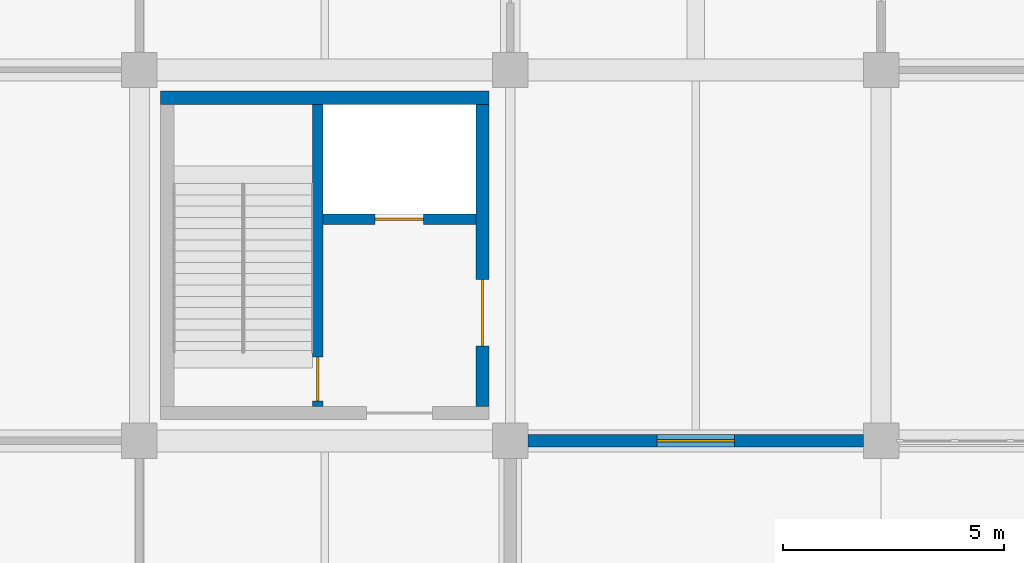
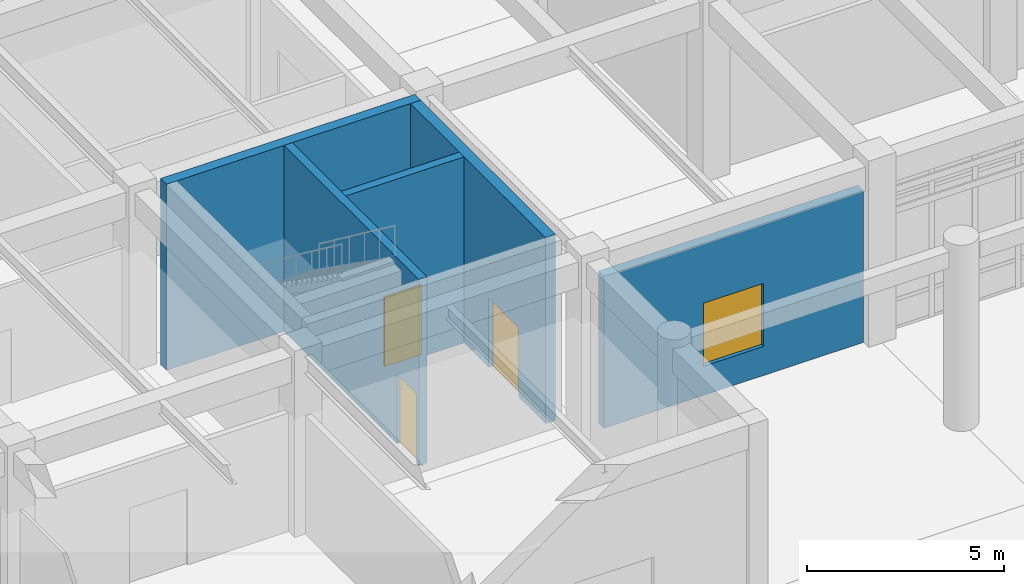
# One storey, part 70 of 91: 5 walls, 3 doors, 1 window, 4 openings.
"""IFC4 building model written with IfcOpenShell, lengths in metres."""

import ifcopenshell
import ifcopenshell.guid

model = None  # the IFC model being written
_history = None  # IfcOwnerHistory: only IFC2X3 demands one
_inside = {}  # id of a spatial element -> (the spatial element, [elements in it])
_under = {}  # id of a project, library or spatial element -> (it, [spatial elements below it])
_declared = {}  # id of a project -> (the project, [libraries it declares])
_typed = {}  # id of a type object -> (the type object, [elements of that type])
_made_of = {}  # id of a material, layer set ... -> (it, [elements and type objects made of it])


def new_model(schema):
    """Start an empty IFC model of exactly this schema.

    Asked for "IFC4X3", IfcOpenShell would pick the latest addendum, in which some entities
    have other attributes; the version numbers below select the first issue.
    IFC2X3 requires an IfcOwnerHistory on every rooted entity: one is made here for all.
    """
    global model, _history
    if schema == "IFC4X3":
        model = ifcopenshell.file(schema_version=(4, 3, 0, 0))
    else:
        model = ifcopenshell.file(schema=schema)
    _inside.clear()
    _under.clear()
    _declared.clear()
    _typed.clear()
    _made_of.clear()
    _history = None
    if model.schema == "IFC2X3":
        org = make("IfcOrganization", Name="unknown")
        user = make(
            "IfcPersonAndOrganization",
            ThePerson=make("IfcPerson", FamilyName="unknown"),
            TheOrganization=org,
        )
        app = make(
            "IfcApplication",
            ApplicationDeveloper=org,
            Version="unknown",
            ApplicationFullName="unknown",
            ApplicationIdentifier="unknown",
        )
        _history = make(
            "IfcOwnerHistory",
            OwningUser=user,
            OwningApplication=app,
            ChangeAction="ADDED",
            CreationDate=0,
        )
    return model


def make(cls, **values):
    """One entity of the class cls with the attributes given. An attribute that is None is left unset."""
    return model.create_entity(
        cls, **{name: value for name, value in values.items() if value is not None}
    )


def rooted(cls, **values):
    """An entity with a GlobalId (a new one), such as an element, a storey or a relation."""
    return make(cls, GlobalId=ifcopenshell.guid.new(), OwnerHistory=_history, **values)


def si_unit(unit_type, name, prefix=None):
    """IfcSIUnit, for example si_unit("LENGTHUNIT", "METRE", prefix="MILLI")."""
    return make("IfcSIUnit", UnitType=unit_type, Prefix=prefix, Name=name)


def assignment(units):
    """IfcUnitAssignment: the units of a project."""
    return None if units is None else make("IfcUnitAssignment", Units=units)


def point(xyz):
    """IfcCartesianPoint."""
    return None if xyz is None else make("IfcCartesianPoint", Coordinates=xyz)


def direction(xyz):
    """IfcDirection."""
    return None if xyz is None else make("IfcDirection", DirectionRatios=xyz)


def frame(location, z_axis=None, x_axis=None):
    """IfcAxis2Placement3D, a coordinate frame: its origin and axes. An axis left out is left unset."""
    return make(
        "IfcAxis2Placement3D",
        Location=point(location),
        Axis=direction(z_axis),
        RefDirection=direction(x_axis),
    )


def frame_2d(location, x_axis=None):
    """IfcAxis2Placement2D, a coordinate frame in the plane: its origin and x axis."""
    return make(
        "IfcAxis2Placement2D", Location=point(location), RefDirection=direction(x_axis)
    )


def origin():
    """The frame at (0, 0, 0) with its axes left unset."""
    return frame((0.0, 0.0, 0.0))


def place(relative_to, where):
    """IfcLocalPlacement: puts the frame where relative to a parent placement (None: the world)."""
    return make(
        "IfcLocalPlacement", PlacementRelTo=relative_to, RelativePlacement=where
    )


def context(
    kind, dimensions, precision=None, world=None, true_north=None, identifier=None
):
    """IfcGeometricRepresentationContext, for example the 3D "Model" context."""
    return make(
        "IfcGeometricRepresentationContext",
        ContextIdentifier=identifier,
        ContextType=kind,
        CoordinateSpaceDimension=dimensions,
        Precision=precision,
        WorldCoordinateSystem=world,
        TrueNorth=true_north,
    )


def subcontext(parent, identifier, kind, view, scale=None):
    """IfcGeometricRepresentationSubContext, for example "Body" below "Model"."""
    return make(
        "IfcGeometricRepresentationSubContext",
        ContextIdentifier=identifier,
        ContextType=kind,
        ParentContext=parent,
        TargetScale=scale,
        TargetView=view,
    )


def project(units=None, contexts=None):
    """IfcProject with its units and contexts."""
    return rooted(
        "IfcProject",
        Name="project",
        RepresentationContexts=contexts,
        UnitsInContext=assignment(units),
    )


def spatial(cls, under=None, at=None, **own):
    """A site, building, storey or space (cls), placed at a placement, below another one or the project."""
    s = rooted(cls, ObjectPlacement=at, **own)
    if under is not None:
        _under.setdefault(under.id(), (under, []))[1].append(s)
    return s


def profile(cls, at=None, kind="AREA", **sizes):
    """A parametric profile (cls). Its sizes go by their IFC names, for example OverallWidth=200.0."""
    return make(cls, ProfileType=kind, Position=at, **sizes)


def rectangle(**sizes):
    """IfcRectangleProfileDef."""
    return profile("IfcRectangleProfileDef", **sizes)


def extrude(swept, where, along, depth):
    """IfcExtrudedAreaSolid: the profile swept, set in the frame where, extruded along a direction by depth."""
    return make(
        "IfcExtrudedAreaSolid",
        SweptArea=swept,
        Position=where,
        ExtrudedDirection=direction(along),
        Depth=depth,
    )


def shape(context_of_items, identifier, shape_type, items):
    """IfcShapeRepresentation: the items that make up one representation, for example the "Body"."""
    return make(
        "IfcShapeRepresentation",
        ContextOfItems=context_of_items,
        RepresentationIdentifier=identifier,
        RepresentationType=shape_type,
        Items=items,
    )


def material(Name=None, Category=None):
    """IfcMaterial."""
    return make("IfcMaterial", Name=Name, Category=Category)


def layer(
    of_material, thickness, ventilated=None, Name=None, Category=None, Priority=None
):
    """IfcMaterialLayer: one layer of a wall or slab, of a material (None: an air gap)."""
    return make(
        "IfcMaterialLayer",
        Material=of_material,
        LayerThickness=thickness,
        IsVentilated=ventilated,
        Name=Name,
        Category=Category,
        Priority=Priority,
    )


def layer_set(layers, Name=None):
    """IfcMaterialLayerSet."""
    return make("IfcMaterialLayerSet", MaterialLayers=layers, LayerSetName=Name)


def made_of(thing, what):
    """Note that an element or type object is made of a material, layer set ...; save() writes the relation."""
    if what is not None:
        _made_of.setdefault(what.id(), (what, []))[1].append(thing)
    return thing


def type_object(cls, material=None, **own):
    """A type object (cls), such as IfcWallType, which elements share."""
    return made_of(rooted(cls, **own), material)


def element(
    cls,
    number,
    at=None,
    inside=None,
    cuts=None,
    type_object=None,
    material=None,
    context=None,
    identifier="Body",
    shape_type=None,
    held_by="IfcProductDefinitionShape",
    body=None,
    shapes=None,
    **own,
):
    """One element of the class cls, such as IfcWall. Its Tag is "e" and its number.

    at: its placement. inside: the storey or other place that contains it. cuts: it is an
    opening in that element (IfcRelVoidsElement). A single representation is given by context,
    identifier, shape_type and body (its items); several are given by shapes. held_by: the class
    of the entity that holds the representations. save() writes the other relations.
    """
    e = rooted(cls, Tag="e%d" % number, ObjectPlacement=at, **own)
    if body is not None:
        shapes = [shape(context, identifier, shape_type, body)]
    if shapes is not None:
        e.Representation = make(held_by, Representations=shapes)
    if inside is not None:
        _inside.setdefault(inside.id(), (inside, []))[1].append(e)
    if cuts is not None:
        rooted(
            "IfcRelVoidsElement", RelatingBuildingElement=cuts, RelatedOpeningElement=e
        )
    if type_object is not None:
        _typed.setdefault(type_object.id(), (type_object, []))[1].append(e)
    return made_of(e, material)


def fill(opening, filler):
    """IfcRelFillsElement: the door or window that sits in an opening."""
    return rooted(
        "IfcRelFillsElement",
        RelatingOpeningElement=opening,
        RelatedBuildingElement=filler,
    )


def aggregate(whole, parts):
    """IfcRelAggregates: a whole, such as a stair, and the parts it consists of."""
    return rooted("IfcRelAggregates", RelatingObject=whole, RelatedObjects=parts)


def save(model, path):
    """Write the relations noted so far, then the file.

    IfcRelAggregates (storeys below a building ...), IfcRelContainedInSpatialStructure (elements
    in a storey), IfcRelDefinesByType, IfcRelAssociatesMaterial and IfcRelDeclares: one each for
    every whole, place, type object, material and project.
    """
    for whole, parts in _under.values():
        aggregate(whole, parts)
    for where, things in _inside.values():
        rooted(
            "IfcRelContainedInSpatialStructure",
            RelatedElements=things,
            RelatingStructure=where,
        )
    for kind, things in _typed.values():
        rooted("IfcRelDefinesByType", RelatedObjects=things, RelatingType=kind)
    for what, things in _made_of.values():
        rooted("IfcRelAssociatesMaterial", RelatedObjects=things, RelatingMaterial=what)
    for by, libraries in _declared.values():
        rooted("IfcRelDeclares", RelatingContext=by, RelatedDefinitions=libraries)
    model.write(path)


model = new_model("IFC4")

# Units and contexts
model_context = context("Model", 3, precision=1e-05, world=origin(), true_north=direction((0.0, 1.0)))
body_context = subcontext(model_context, "Body", "Model", "MODEL_VIEW")
ifc_project = project(units=[si_unit("LENGTHUNIT", "METRE"), si_unit("AREAUNIT", "SQUARE_METRE"), si_unit("VOLUMEUNIT", "CUBIC_METRE"), si_unit("PLANEANGLEUNIT", "RADIAN"), si_unit("MASSUNIT", "GRAM", prefix="KILO")], contexts=[model_context])

# Site, building, storey
site_placement = place(None, origin())
site = spatial("IfcSite", under=ifc_project, at=site_placement, CompositionType="ELEMENT")
building_placement = place(site_placement, origin())
building = spatial("IfcBuilding", under=site, at=building_placement, Name="Porcellanite Civic Hall", CompositionType="ELEMENT")
storey_placement = place(building_placement, origin())
storey = spatial("IfcBuildingStorey", under=building, at=storey_placement, Name="L00", CompositionType="ELEMENT", Elevation=0.0)

# Wall, opening, door
ifc_material_1 = material(Name="Concrete N40 (40 MPa)", Category="concrete")
ifc_layer_1 = layer(ifc_material_1, 0.239990234375)
ifc_layer_set_1 = layer_set([ifc_layer_1], Name="Concrete N40 (40 MPa)")
wall_type_1 = type_object("IfcWallType", Name="CW-SH240", PredefinedType="SHEAR", material=ifc_layer_set_1)
wall_1_placement = place(storey_placement, frame((113.239990234375, 51.179931640625, 0.0), z_axis=(0.0, 0.0, 1.0), x_axis=(0.0, 1.0, 0.0)))
wall_1 = element("IfcWall", 1, at=wall_1_placement, inside=storey, type_object=wall_type_1, Name="Core divider C6 L00", PredefinedType="SHEAR", context=body_context, shape_type="SweptSolid", body=[
    extrude(rectangle(XDim=6.840087890625, YDim=0.239990234375, at=frame_2d((3.419921875, 0.0))), origin(), (0.0, 0.0, 1.0), 5.760009765625),
])
opening_1_placement = place(wall_1_placement, frame((0.1201171875, 0.0, 0.0)))
opening_1 = element("IfcOpeningElement", 2, at=opening_1_placement, cuts=wall_1, Name="Opening FD-C6-L00-ST", PredefinedType="OPENING", context=body_context, shape_type="SweptSolid", body=[
    extrude(rectangle(XDim=1.0, YDim=2.14990234375, at=frame_2d((0.5, 1.074951171875))), frame((0.0, 0.1201171875, 0.0), z_axis=(0.0, -1.0, 0.0), x_axis=(1.0, 0.0, 0.0)), (0.0, 0.0, 1.0), 0.239990234375),
])
ifc_material_2 = material(Name="Fire-rated solid-core hardwood timber", Category="wood")
door_type_1 = type_object("IfcDoorType", Name="DR-FD100", OperationType="NOTDEFINED", PredefinedType="DOOR", material=ifc_material_2)
door_1_placement = place(opening_1_placement, origin())
door_1 = element("IfcDoor", 3, at=door_1_placement, inside=storey, type_object=door_type_1, Name="Fire stair door FD-C6-L00-ST", OperationType="SINGLE_SWING_LEFT", OverallHeight=2.14990234375, OverallWidth=1.0, PredefinedType="DOOR", context=body_context, shape_type="SweptSolid", body=[
    extrude(rectangle(XDim=1.0, YDim=2.14990234375, at=frame_2d((0.5, 1.074951171875))), frame((0.0, 0.02490234375, 0.0), z_axis=(0.0, -1.0, 0.0), x_axis=(1.0, 0.0, 0.0)), (0.0, 0.0, 1.0), 0.050048828125),
])
fill(opening_1, door_1)

wall_2_placement = place(storey_placement, frame((113.360107421875, 55.419921875, 0.0), z_axis=(0.0, 0.0, 1.0), x_axis=(1.0, 0.0, 0.0)))
wall_2 = element("IfcWall", 4, at=wall_2_placement, inside=storey, type_object=wall_type_1, Name="Lift shaft wall C6 L00", PredefinedType="SHEAR", context=body_context, shape_type="SweptSolid", body=[
    extrude(rectangle(XDim=3.4599609375, YDim=0.239990234375, at=frame_2d((1.72998046875, 0.0))), origin(), (0.0, 0.0, 1.0), 5.760009765625),
])
opening_2_placement = place(wall_2_placement, frame((1.179931640625, 0.0, 0.0)))
opening_2 = element("IfcOpeningElement", 5, at=opening_2_placement, cuts=wall_2, Name="Opening LD-06", PredefinedType="OPENING", context=body_context, shape_type="SweptSolid", body=[
    extrude(rectangle(XDim=1.10009765625, YDim=2.14990234375, at=frame_2d((0.550048828125, 1.074951171875))), frame((0.0, 0.1201171875, 0.0), z_axis=(0.0, -1.0, 0.0), x_axis=(1.0, 0.0, 0.0)), (0.0, 0.0, 1.0), 0.239990234375),
])
ifc_material_3 = material(Name="Brushed stainless steel 316", Category="steel")
door_type_2 = type_object("IfcDoorType", Name="DR-LD110", OperationType="DOUBLE_DOOR_SLIDING", PredefinedType="DOOR", material=ifc_material_3)
door_2_placement = place(opening_2_placement, origin())
door_2 = element("IfcDoor", 6, at=door_2_placement, inside=storey, type_object=door_type_2, Name="Lift landing sliding door LD-06 L00", OperationType="DOUBLE_DOOR_SLIDING", OverallHeight=2.14990234375, OverallWidth=1.10009765625, PredefinedType="DOOR", context=body_context, shape_type="SweptSolid", body=[
    extrude(rectangle(XDim=1.10009765625, YDim=2.14990234375, at=frame_2d((0.550048828125, 1.074951171875))), frame((0.0, 0.02490234375, 0.0), z_axis=(0.0, -1.0, 0.0), x_axis=(1.0, 0.0, 0.0)), (0.0, 0.0, 1.0), 0.050048828125),
])
fill(opening_2, door_2)

# Wall
ifc_material_4 = material(Name="Concrete N40 (40 MPa)", Category="concrete")
ifc_layer_2 = layer(ifc_material_4, 0.300048828125)
ifc_layer_set_2 = layer_set([ifc_layer_2], Name="Concrete N40 (40 MPa)")
wall_type_2 = type_object("IfcWallType", Name="CW-SH300", PredefinedType="SHEAR", material=ifc_layer_set_2)
wall_3_placement = place(storey_placement, frame((109.679931640625, 58.169921875, 0.0), z_axis=(0.0, 0.0, 1.0), x_axis=(1.0, 0.0, 0.0)))
element("IfcWall", 7, at=wall_3_placement, inside=storey, type_object=wall_type_2, Name="Core wall C6 L00 N", PredefinedType="SHEAR", context=body_context, shape_type="SweptSolid", body=[
    extrude(rectangle(XDim=7.440185546875, YDim=0.300048828125, at=frame_2d((3.72021484375, 0.0))), origin(), (0.0, 0.0, 1.0), 5.760009765625),
])

# Wall, opening, door
wall_4_placement = place(storey_placement, frame((116.969970703125, 58.02001953125, 0.0), z_axis=(0.0, 0.0, 1.0), x_axis=(0.0, -1.0, 0.0)))
wall_4 = element("IfcWall", 8, at=wall_4_placement, inside=storey, type_object=wall_type_2, Name="Core wall C6 L00 E", PredefinedType="SHEAR", context=body_context, shape_type="SweptSolid", body=[
    extrude(rectangle(XDim=6.840087890625, YDim=0.300048828125, at=frame_2d((3.419921875, 0.0))), origin(), (0.0, 0.0, 1.0), 5.760009765625),
])
opening_3_placement = place(wall_4_placement, frame((3.969970703125, 0.0, 0.0)))
opening_3 = element("IfcOpeningElement", 9, at=opening_3_placement, cuts=wall_4, Name="Opening FD-C6-L00-LB", PredefinedType="OPENING", context=body_context, shape_type="SweptSolid", body=[
    extrude(rectangle(XDim=1.5, YDim=2.14990234375, at=frame_2d((0.75, 1.074951171875))), frame((0.0, 0.14990234375, 0.0), z_axis=(0.0, -1.0, 0.0), x_axis=(1.0, 0.0, 0.0)), (0.0, 0.0, 1.0), 0.300048828125),
])
ifc_material_5 = material(Name="Fire-rated steel and Georgian wired glass", Category="steel")
door_type_3 = type_object("IfcDoorType", Name="DR-FD150", OperationType="DOUBLE_DOOR_SINGLE_SWING", PredefinedType="DOOR", material=ifc_material_5)
door_3_placement = place(opening_3_placement, origin())
door_3 = element("IfcDoor", 10, at=door_3_placement, inside=storey, type_object=door_type_3, Name="Fire lobby double door FD-C6-L00-LB", OperationType="DOUBLE_DOOR_SINGLE_SWING", OverallHeight=2.14990234375, OverallWidth=1.5, PredefinedType="DOOR", context=body_context, shape_type="SweptSolid", body=[
    extrude(rectangle(XDim=1.5, YDim=2.14990234375, at=frame_2d((0.75, 1.074951171875))), frame((0.0, 0.02490234375, 0.0), z_axis=(0.0, -1.0, 0.0), x_axis=(1.0, 0.0, 0.0)), (0.0, 0.0, 1.0), 0.050048828125),
])
fill(opening_3, door_3)

# Wall, opening, window
ifc_material_6 = material(Name="Precast concrete N40 (40 MPa)", Category="concrete")
ifc_layer_3 = layer(ifc_material_6, 0.280029296875)
ifc_layer_set_3 = layer_set([ifc_layer_3], Name="Precast concrete N40 (40 MPa)")
wall_type_3 = type_object("IfcWallType", Name="EW-CLO280", PredefinedType="SOLIDWALL", material=ifc_layer_set_3)
wall_5_placement = place(storey_placement, frame((125.59912109375, 50.39990234375, 0.0), z_axis=(0.0, 0.0, 1.0), x_axis=(-1.0, 0.0, 0.0)))
wall_5 = element("IfcWall", 11, at=wall_5_placement, inside=storey, type_object=wall_type_3, Name="Exterior wall L00 S 15-7", PredefinedType="SOLIDWALL", context=body_context, shape_type="SweptSolid", body=[
    extrude(rectangle(XDim=7.59814453125, YDim=0.280029296875, at=frame_2d((3.799072265625, 0.0))), origin(), (0.0, 0.0, 1.0), 4.699951171875),
])
opening_4_placement = place(wall_5_placement, frame((2.924072265625, 0.0, 0.89990234375)))
opening_4 = element("IfcOpeningElement", 12, at=opening_4_placement, cuts=wall_5, Name="Opening W31", PredefinedType="OPENING", context=body_context, shape_type="SweptSolid", body=[
    extrude(rectangle(XDim=1.75, YDim=1.949951171875, at=frame_2d((0.875, 0.97509765625))), frame((0.0, 0.14013671875, 0.0), z_axis=(0.0, -1.0, 0.0), x_axis=(1.0, 0.0, 0.0)), (0.0, 0.0, 1.0), 0.280029296875),
])
ifc_material_7 = material(Name="Cyclone laminated low-E glazing in anodised aluminium frame", Category="aluminium")
window_type = type_object("IfcWindowType", Name="WN-31", PartitioningType="DOUBLE_PANEL_VERTICAL", PredefinedType="WINDOW", material=ifc_material_7)
window_placement = place(opening_4_placement, origin())
window = element("IfcWindow", 13, at=window_placement, inside=storey, type_object=window_type, Name="Window W31 L00 S 15-7", OverallHeight=1.949951171875, OverallWidth=1.75, PartitioningType="SINGLE_PANEL", PredefinedType="WINDOW", context=body_context, shape_type="SweptSolid", body=[
    extrude(rectangle(XDim=1.75, YDim=1.949951171875, at=frame_2d((0.875, 0.97509765625))), frame((0.0, 0.030029296875, 0.0), z_axis=(0.0, -1.0, 0.0), x_axis=(1.0, 0.0, 0.0)), (0.0, 0.0, 1.0), 0.06005859375),
])
fill(opening_4, window)

save(model, "model.ifc")
